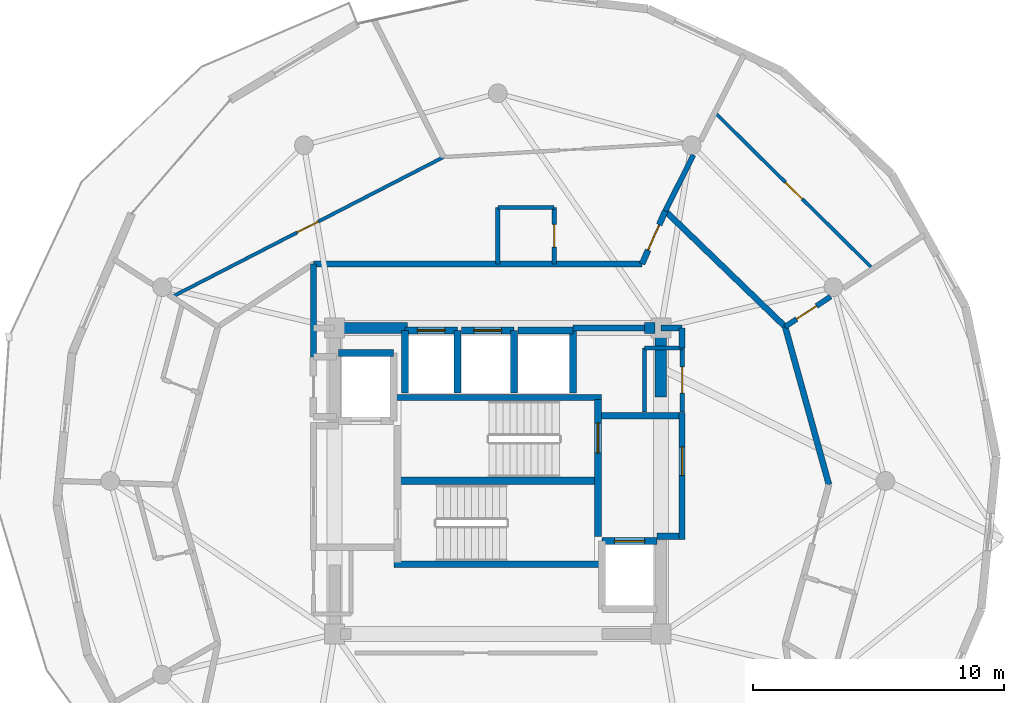
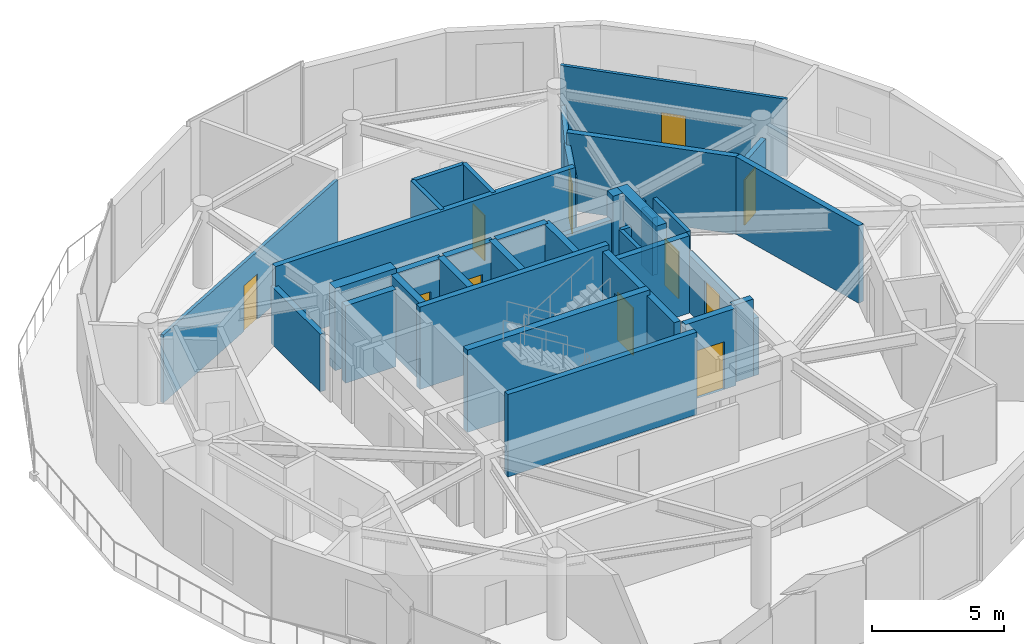
# One storey, part 12 of 15: 37 walls, 11 doors, 11 openings.
"""IFC4 building model written with IfcOpenShell, lengths in metres."""

from ifc_helpers import new_model, si_unit, direction, frame, frame_2d, origin, place, context, subcontext, project, spatial, rectangle, extrude, material, layer, layer_set, type_object, element, fill, save


model = new_model("IFC4")

# Units and contexts
model_context = context("Model", 3, precision=1e-05, world=origin(), true_north=direction((0.0, 1.0)))
body_context = subcontext(model_context, "Body", "Model", "MODEL_VIEW")
ifc_project = project(units=[si_unit("LENGTHUNIT", "METRE"), si_unit("AREAUNIT", "SQUARE_METRE"), si_unit("VOLUMEUNIT", "CUBIC_METRE"), si_unit("PLANEANGLEUNIT", "RADIAN"), si_unit("MASSUNIT", "GRAM", prefix="KILO")], contexts=[model_context])

# Site, building, storey
site_placement = place(None, origin())
site = spatial("IfcSite", under=ifc_project, at=site_placement, CompositionType="ELEMENT")
building_placement = place(site_placement, origin())
building = spatial("IfcBuilding", under=site, at=building_placement, Name="Solvirekh Grand Hotel", CompositionType="ELEMENT")
storey_placement = place(building_placement, frame((0.0, 0.0, 270.60009765625)))
storey = spatial("IfcBuildingStorey", under=building, at=storey_placement, Name="L70", CompositionType="ELEMENT", Elevation=270.60009765625)

# Walls
ifc_material_1 = material(Name="Concrete C50/60", Category="concrete")
ifc_layer_1 = layer(ifc_material_1, 0.35009765625)
ifc_layer_set_1 = layer_set([ifc_layer_1], Name="Concrete C50/60")
wall_type_1 = type_object("IfcWallType", Name="CoreDivWall_RC350", PredefinedType="SOLIDWALL", material=ifc_layer_set_1)
for number, where, z_axis, x_axis, name in (
    (1, (-4.1298828125, -3.324951171875, 0.0), (0.0, 0.0, 1.0), (1.0, 0.0, 0.0), "L70 core stair box wall ST-S"),
    (2, (-4.1298828125, 3.324951171875, 0.0), (0.0, 0.0, 1.0), (1.0, 0.0, 0.0), "L70 core stair box wall ST-N"),
):
    element("IfcWall", number, at=place(storey_placement, frame(where, z_axis=z_axis, x_axis=x_axis)), inside=storey, type_object=wall_type_1, Name=name, PredefinedType="SOLIDWALL", context=body_context, shape_type="SweptSolid", body=[
        extrude(rectangle(XDim=8.259765625, YDim=0.25, at=frame_2d((4.1298828125, 0.0))), origin(), (0.0, 0.0, 1.0), 3.7998046875),
    ])

# Wall, opening, door
ifc_material_2 = material(Name="Concrete C40/50", Category="concrete")
ifc_layer_2 = layer(ifc_material_2, 0.280029296875)
ifc_layer_set_2 = layer_set([ifc_layer_2], Name="Concrete C40/50")
wall_type_2 = type_object("IfcWallType", Name="CoreShaftWall_RC280", PredefinedType="SOLIDWALL", material=ifc_layer_set_2)
wall_1_placement = place(storey_placement, frame((-1.60009765625, 6.0, 0.0), z_axis=(0.0, 0.0, 1.0), x_axis=(-1.0, 0.0, 0.0)))
wall_1 = element("IfcWall", 3, at=wall_1_placement, inside=storey, type_object=wall_type_2, Name="L70 HP-1 hoistway N wall", PredefinedType="SOLIDWALL", context=body_context, shape_type="SweptSolid", body=[
    extrude(rectangle(XDim=2.099853515625, YDim=0.280029296875, at=frame_2d((1.0498046875, 0.0))), origin(), (0.0, 0.0, 1.0), 3.56982421875),
])
opening_1_placement = place(wall_1_placement, frame((0.5, 0.0, 0.0)))
opening_1 = element("IfcOpeningElement", 4, at=opening_1_placement, cuts=wall_1, Name="Opening LD01", PredefinedType="OPENING", context=body_context, shape_type="SweptSolid", body=[
    extrude(rectangle(XDim=1.10009765625, YDim=2.199951171875, at=frame_2d((0.550048828125, 1.10009765625))), frame((0.0, 0.14990234375, 0.0), z_axis=(0.0, -1.0, 0.0), x_axis=(1.0, 0.0, 0.0)), (0.0, 0.0, 1.0), 0.300048828125),
])
ifc_material_3 = material(Name="Fire-Rated Steel Door Assembly", Category="steel")
door_type_1 = type_object("IfcDoorType", Name="Door_LiftLanding_1100X2200", OperationType="SLIDING_TO_LEFT", PredefinedType="DOOR", material=ifc_material_3)
door_1_placement = place(opening_1_placement, origin())
door_1 = element("IfcDoor", 5, at=door_1_placement, inside=storey, type_object=door_type_1, Name="L70 HP-1 sliding lift landing door", OperationType="SLIDING_TO_LEFT", OverallHeight=2.199951171875, OverallWidth=1.10009765625, PredefinedType="DOOR", context=body_context, shape_type="SweptSolid", body=[
    extrude(rectangle(XDim=1.10009765625, YDim=2.199951171875, at=frame_2d((0.550048828125, 1.10009765625))), frame((0.0, 0.02490234375, 0.0), z_axis=(0.0, -1.0, 0.0), x_axis=(1.0, 0.0, 0.0)), (0.0, 0.0, 1.0), 0.050048828125),
])
fill(opening_1, door_1)

# Walls
for number, where, z_axis, x_axis, name in (
    (6, (-3.699951171875, 6.0, 0.0), (0.0, 0.0, 1.0), (0.0, -1.0, 0.0), "L70 HP-1 hoistway W wall"),
    (7, (-1.60009765625, 3.5, 0.0), (0.0, 0.0, 1.0), (0.0, 1.0, 0.0), "L70 HP-1 hoistway E wall"),
):
    element("IfcWall", number, at=place(storey_placement, frame(where, z_axis=z_axis, x_axis=x_axis)), inside=storey, type_object=wall_type_2, Name=name, PredefinedType="SOLIDWALL", context=body_context, shape_type="SweptSolid", body=[
        extrude(rectangle(XDim=2.5, YDim=0.280029296875, at=frame_2d((1.25, 0.0))), origin(), (0.0, 0.0, 1.0), 3.56982421875),
    ])

# Wall, opening, door
wall_2_placement = place(storey_placement, frame((0.64990234375, 6.0, 0.0), z_axis=(0.0, 0.0, 1.0), x_axis=(-1.0, 0.0, 0.0)))
wall_2 = element("IfcWall", 8, at=wall_2_placement, inside=storey, type_object=wall_type_2, Name="L70 HP-2 hoistway N wall", PredefinedType="SOLIDWALL", context=body_context, shape_type="SweptSolid", body=[
    extrude(rectangle(XDim=2.099853515625, YDim=0.280029296875, at=frame_2d((1.0498046875, 0.0))), origin(), (0.0, 0.0, 1.0), 3.56982421875),
])
opening_2_placement = place(wall_2_placement, frame((0.5, 0.0, 0.0)))
opening_2 = element("IfcOpeningElement", 9, at=opening_2_placement, cuts=wall_2, Name="Opening LD01", PredefinedType="OPENING", context=body_context, shape_type="SweptSolid", body=[
    extrude(rectangle(XDim=1.10009765625, YDim=2.199951171875, at=frame_2d((0.550048828125, 1.10009765625))), frame((0.0, 0.14990234375, 0.0), z_axis=(0.0, -1.0, 0.0), x_axis=(1.0, 0.0, 0.0)), (0.0, 0.0, 1.0), 0.300048828125),
])
door_2_placement = place(opening_2_placement, origin())
door_2 = element("IfcDoor", 10, at=door_2_placement, inside=storey, type_object=door_type_1, Name="L70 HP-2 sliding lift landing door", OperationType="SLIDING_TO_LEFT", OverallHeight=2.199951171875, OverallWidth=1.10009765625, PredefinedType="DOOR", context=body_context, shape_type="SweptSolid", body=[
    extrude(rectangle(XDim=1.10009765625, YDim=2.199951171875, at=frame_2d((0.550048828125, 1.10009765625))), frame((0.0, 0.02490234375, 0.0), z_axis=(0.0, -1.0, 0.0), x_axis=(1.0, 0.0, 0.0)), (0.0, 0.0, 1.0), 0.050048828125),
])
fill(opening_2, door_2)

# Walls
wall_3_placement = place(storey_placement, frame((0.64990234375, 3.5, 0.0), z_axis=(0.0, 0.0, 1.0), x_axis=(0.0, 1.0, 0.0)))
element("IfcWall", 11, at=wall_3_placement, inside=storey, type_object=wall_type_2, Name="L70 HP-2 hoistway E wall", PredefinedType="SOLIDWALL", context=body_context, shape_type="SweptSolid", body=[
    extrude(rectangle(XDim=2.5, YDim=0.280029296875, at=frame_2d((1.25, 0.0))), origin(), (0.0, 0.0, 1.0), 3.56982421875),
])
wall_4_placement = place(storey_placement, frame((3.0, 6.0, 0.0), z_axis=(0.0, 0.0, 1.0), x_axis=(-1.0, 0.0, 0.0)))
element("IfcWall", 12, at=wall_4_placement, inside=storey, type_object=wall_type_2, Name="L70 EX-1 hoistway N wall", PredefinedType="SOLIDWALL", context=body_context, shape_type="SweptSolid", body=[
    extrude(rectangle(XDim=2.199951171875, YDim=0.280029296875, at=frame_2d((1.10009765625, 0.0))), origin(), (0.0, 0.0, 1.0), 3.56982421875),
])
wall_5_placement = place(storey_placement, frame((3.0, 3.5, 0.0), z_axis=(0.0, 0.0, 1.0), x_axis=(0.0, 1.0, 0.0)))
element("IfcWall", 13, at=wall_5_placement, inside=storey, type_object=wall_type_2, Name="L70 EX-1 hoistway E wall", PredefinedType="SOLIDWALL", context=body_context, shape_type="SweptSolid", body=[
    extrude(rectangle(XDim=2.5, YDim=0.280029296875, at=frame_2d((1.25, 0.0))), origin(), (0.0, 0.0, 1.0), 3.56982421875),
])
wall_6_placement = place(storey_placement, frame((-4.14990234375, 5.10009765625, 0.0), z_axis=(0.0, 0.0, 1.0), x_axis=(-1.0, 0.0, 0.0)))
element("IfcWall", 14, at=wall_6_placement, inside=storey, type_object=wall_type_2, Name="L70 FL-1 hoistway N wall", PredefinedType="SOLIDWALL", context=body_context, shape_type="SweptSolid", body=[
    extrude(rectangle(XDim=2.2001953125, YDim=0.280029296875, at=frame_2d((1.10009765625, 0.0))), origin(), (0.0, 0.0, 1.0), 3.56982421875),
])

# Wall, opening, door
wall_7_placement = place(storey_placement, frame((6.35009765625, -2.39990234375, 0.0), z_axis=(0.0, 0.0, 1.0), x_axis=(-1.0, 0.0, 0.0)))
wall_7 = element("IfcWall", 15, at=wall_7_placement, inside=storey, type_object=wall_type_2, Name="L70 FL-2 hoistway N wall", PredefinedType="SOLIDWALL", context=body_context, shape_type="SweptSolid", body=[
    extrude(rectangle(XDim=2.2001953125, YDim=0.280029296875, at=frame_2d((1.10009765625, 0.0))), origin(), (0.0, 0.0, 1.0), 3.56982421875),
])
opening_3_placement = place(wall_7_placement, frame((0.5, 0.0, 0.0)))
opening_3 = element("IfcOpeningElement", 16, at=opening_3_placement, cuts=wall_7, Name="Opening LD02", PredefinedType="OPENING", context=body_context, shape_type="SweptSolid", body=[
    extrude(rectangle(XDim=1.199951171875, YDim=2.199951171875, at=frame_2d((0.60009765625, 1.10009765625))), frame((0.0, 0.14990234375, 0.0), z_axis=(0.0, -1.0, 0.0), x_axis=(1.0, 0.0, 0.0)), (0.0, 0.0, 1.0), 0.300048828125),
])
door_type_2 = type_object("IfcDoorType", Name="Door_LiftFF_1200X2200", OperationType="SLIDING_TO_LEFT", PredefinedType="DOOR", material=ifc_material_3)
door_3_placement = place(opening_3_placement, origin())
door_3 = element("IfcDoor", 17, at=door_3_placement, inside=storey, type_object=door_type_2, Name="L70 FL-2 sliding lift landing door", OperationType="SLIDING_TO_LEFT", OverallHeight=2.199951171875, OverallWidth=1.199951171875, PredefinedType="DOOR", context=body_context, shape_type="SweptSolid", body=[
    extrude(rectangle(XDim=1.199951171875, YDim=2.199951171875, at=frame_2d((0.60009765625, 1.10009765625))), frame((0.0, 0.02490234375, 0.0), z_axis=(0.0, -1.0, 0.0), x_axis=(1.0, 0.0, 0.0)), (0.0, 0.0, 1.0), 0.050048828125),
])
fill(opening_3, door_3)

wall_8_placement = place(storey_placement, frame((3.989990234375, -2.2099609375, 0.0), z_axis=(0.0, 0.0, 1.0), x_axis=(0.0, 1.0, 0.0)))
wall_8 = element("IfcWall", 18, at=wall_8_placement, inside=storey, type_object=wall_type_2, Name="L70 east stair landing enclosure wall", PredefinedType="SOLIDWALL", context=body_context, shape_type="SweptSolid", body=[
    extrude(rectangle(XDim=5.4599609375, YDim=0.280029296875, at=frame_2d((2.72998046875, 0.0))), origin(), (0.0, 0.0, 1.0), 3.56982421875),
])
opening_4_placement = place(wall_8_placement, frame((3.322998046875, 0.0, 0.0)))
opening_4 = element("IfcOpeningElement", 19, at=opening_4_placement, cuts=wall_8, Name="Opening D05", PredefinedType="OPENING", context=body_context, shape_type="SweptSolid", body=[
    extrude(rectangle(XDim=1.199951171875, YDim=2.199951171875, at=frame_2d((0.60009765625, 1.10009765625))), frame((0.0, 0.14990234375, 0.0), z_axis=(0.0, -1.0, 0.0), x_axis=(1.0, 0.0, 0.0)), (0.0, 0.0, 1.0), 0.300048828125),
])
door_type_3 = type_object("IfcDoorType", Name="Door_StairCore_1200X2200", OperationType="NOTDEFINED", PredefinedType="DOOR", material=ifc_material_3)
door_4_placement = place(opening_4_placement, origin())
door_4 = element("IfcDoor", 20, at=door_4_placement, inside=storey, type_object=door_type_3, Name="L70 exit stair ST-2 fire door", OperationType="SINGLE_SWING_RIGHT", OverallHeight=2.199951171875, OverallWidth=1.199951171875, PredefinedType="DOOR", context=body_context, shape_type="SweptSolid", body=[
    extrude(rectangle(XDim=1.199951171875, YDim=2.199951171875, at=frame_2d((0.60009765625, 1.10009765625))), frame((0.0, 0.02490234375, 0.0), z_axis=(0.0, -1.0, 0.0), x_axis=(1.0, 0.0, 0.0)), (0.0, 0.0, 1.0), 0.050048828125),
])
fill(opening_4, door_4)

# Walls
ifc_layer_3 = layer(ifc_material_1, 0.449951171875)
ifc_layer_set_3 = layer_set([ifc_layer_3], Name="Concrete C50/60")
wall_type_3 = type_object("IfcWallType", Name="CoreWall_RC450", PredefinedType="SHEAR", material=ifc_layer_set_3)
wall_9_placement = place(storey_placement, frame((-3.989990234375, 0.0, 0.0), z_axis=(0.0, 0.0, 1.0), x_axis=(1.0, 0.0, 0.0)))
element("IfcWall", 21, at=wall_9_placement, inside=storey, type_object=wall_type_3, Name="L70 central stair-spine shear wall", PredefinedType="SHEAR", context=body_context, shape_type="SweptSolid", body=[
    extrude(rectangle(XDim=7.97998046875, YDim=0.300048828125, at=frame_2d((3.989990234375, 0.0))), origin(), (0.0, 0.0, 1.0), 3.7998046875),
])
wall_10_placement = place(storey_placement, frame((-6.27490234375, 6.10009765625, 0.0), z_axis=(0.0, 0.0, 1.0), x_axis=(1.0, 0.0, 0.0)))
element("IfcWall", 22, at=wall_10_placement, inside=storey, type_object=wall_type_3, Name="L70 core corner shear wall NW-N", PredefinedType="SHEAR", context=body_context, shape_type="SweptSolid", body=[
    extrude(rectangle(XDim=2.6748046875, YDim=0.449951171875, at=frame_2d((1.33740234375, 0.0))), origin(), (0.0, 0.0, 1.0), 3.7998046875),
])
wall_11_placement = place(storey_placement, frame((5.85009765625, 6.10009765625, 0.0), z_axis=(0.0, 0.0, 1.0), x_axis=(1.0, 0.0, 0.0)))
element("IfcWall", 23, at=wall_11_placement, inside=storey, type_object=wall_type_3, Name="L70 core corner shear wall NE-N", PredefinedType="SHEAR", context=body_context, shape_type="SweptSolid", body=[
    extrude(rectangle(XDim=0.4248046875, YDim=0.449951171875, at=frame_2d((0.21240234375, 0.0))), origin(), (0.0, 0.0, 1.0), 3.7998046875),
])
wall_12_placement = place(storey_placement, frame((6.5, 3.35009765625, 0.0), z_axis=(0.0, 0.0, 1.0), x_axis=(0.0, 1.0, 0.0)))
element("IfcWall", 24, at=wall_12_placement, inside=storey, type_object=wall_type_3, Name="L70 core corner shear wall EN-E", PredefinedType="SHEAR", context=body_context, shape_type="SweptSolid", body=[
    extrude(rectangle(XDim=2.974853515625, YDim=0.449951171875, at=frame_2d((1.4873046875, 0.0))), origin(), (0.0, 0.0, 1.0), 3.7998046875),
])

# Wall, opening, door
ifc_material_4 = material(Name="Acoustic Gypsum Partition Assembly")
ifc_layer_4 = layer(ifc_material_4, 0.1650390625)
ifc_layer_set_4 = layer_set([ifc_layer_4], Name="Acoustic Gypsum Partition Assembly")
wall_type_4 = type_object("IfcWallType", Name="Part_BOH_165", PredefinedType="PARTITIONING", material=ifc_layer_set_4)
wall_13_placement = place(storey_placement, frame((7.35009765625, 2.75, 0.0), z_axis=(0.0, 0.0, 1.0), x_axis=(0.0, 1.0, 0.0)))
wall_13 = element("IfcWall", 25, at=wall_13_placement, inside=storey, type_object=wall_type_4, Name="L70 L70 Telecom Distribution Room wall 2", PredefinedType="PARTITIONING", context=body_context, shape_type="SweptSolid", body=[
    extrude(rectangle(XDim=2.550048828125, YDim=0.1650390625, at=frame_2d((1.27490234375, 0.0))), origin(), (0.0, 0.0, 1.0), 3.56982421875),
])
opening_5_placement = place(wall_13_placement, frame((0.75, 0.0, 0.0)))
opening_5 = element("IfcOpeningElement", 26, at=opening_5_placement, cuts=wall_13, Name="Opening D12", PredefinedType="OPENING", context=body_context, shape_type="SweptSolid", body=[
    extrude(rectangle(XDim=1.050048828125, YDim=2.14990234375, at=frame_2d((0.52490234375, 1.074951171875))), frame((0.0, 0.092529296875, 0.0), z_axis=(0.0, -1.0, 0.0), x_axis=(1.0, 0.0, 0.0)), (0.0, 0.0, 1.0), 0.18505859375),
])
door_type_4 = type_object("IfcDoorType", Name="Door_PlantBOH_1050X2150", OperationType="NOTDEFINED", PredefinedType="DOOR", material=ifc_material_3)
door_5_placement = place(opening_5_placement, origin())
door_5 = element("IfcDoor", 27, at=door_5_placement, inside=storey, type_object=door_type_4, Name="L70 L70 Telecom Distribution Room door", OperationType="SINGLE_SWING_LEFT", OverallHeight=2.14990234375, OverallWidth=1.050048828125, PredefinedType="DOOR", context=body_context, shape_type="SweptSolid", body=[
    extrude(rectangle(XDim=1.050048828125, YDim=2.14990234375, at=frame_2d((0.52490234375, 1.074951171875))), frame((0.0, 0.02490234375, 0.0), z_axis=(0.0, -1.0, 0.0), x_axis=(1.0, 0.0, 0.0)), (0.0, 0.0, 1.0), 0.050048828125),
])
fill(opening_5, door_5)

# Walls
wall_14_placement = place(storey_placement, frame((7.35009765625, 5.300048828125, 0.0), z_axis=(0.0, 0.0, 1.0), x_axis=(-1.0, 0.0, 0.0)))
element("IfcWall", 28, at=wall_14_placement, inside=storey, type_object=wall_type_4, Name="L70 L70 Telecom Distribution Room wall 3", PredefinedType="PARTITIONING", context=body_context, shape_type="SweptSolid", body=[
    extrude(rectangle(XDim=1.5, YDim=0.1650390625, at=frame_2d((0.75, 0.0))), origin(), (0.0, 0.0, 1.0), 2.65478515625),
])
wall_15_placement = place(storey_placement, frame((5.85009765625, 5.300048828125, 0.0), z_axis=(0.0, 0.0, 1.0), x_axis=(0.0, -1.0, 0.0)))
element("IfcWall", 29, at=wall_15_placement, inside=storey, type_object=wall_type_4, Name="L70 L70 Telecom Distribution Room wall 4", PredefinedType="PARTITIONING", context=body_context, shape_type="SweptSolid", body=[
    extrude(rectangle(XDim=2.550048828125, YDim=0.1650390625, at=frame_2d((1.27490234375, 0.0))), origin(), (0.0, 0.0, 1.0), 2.65478515625),
])

# Wall, opening, door
ifc_layer_5 = layer(ifc_material_4, 0.239990234375)
ifc_layer_set_5 = layer_set([ifc_layer_5], Name="Acoustic Gypsum Partition Assembly")
wall_type_5 = type_object("IfcWallType", Name="Part_Corridor_240", PredefinedType="PARTITIONING", material=ifc_layer_set_5)
wall_16_placement = place(storey_placement, frame((7.35009765625, -2.340087890625, 0.0), z_axis=(0.0, 0.0, 1.0), x_axis=(0.0, 1.0, 0.0)))
wall_16 = element("IfcWall", 30, at=wall_16_placement, inside=storey, type_object=wall_type_5, Name="L70 east firefighting lobby smoke screen wall", PredefinedType="PARTITIONING", context=body_context, shape_type="SweptSolid", body=[
    extrude(rectangle(XDim=5.070068359375, YDim=0.239990234375, at=frame_2d((2.53515625, 0.0))), origin(), (0.0, 0.0, 1.0), 2.65478515625),
])
opening_6_placement = place(wall_16_placement, frame((2.548095703125, 0.0, 0.0)))
opening_6 = element("IfcOpeningElement", 31, at=opening_6_placement, cuts=wall_16, Name="Opening D06", PredefinedType="OPENING", context=body_context, shape_type="SweptSolid", body=[
    extrude(rectangle(XDim=1.14990234375, YDim=2.199951171875, at=frame_2d((0.574951171875, 1.10009765625))), frame((0.0, 0.1298828125, 0.0), z_axis=(0.0, -1.0, 0.0), x_axis=(1.0, 0.0, 0.0)), (0.0, 0.0, 1.0), 0.260009765625),
])
door_type_5 = type_object("IfcDoorType", Name="Door_FFLobby_1150X2200", OperationType="NOTDEFINED", PredefinedType="DOOR", material=ifc_material_3)
door_6_placement = place(opening_6_placement, origin())
door_6 = element("IfcDoor", 32, at=door_6_placement, inside=storey, type_object=door_type_5, Name="L70 east firefighting lobby smoke door", OperationType="SINGLE_SWING_RIGHT", OverallHeight=2.199951171875, OverallWidth=1.14990234375, PredefinedType="DOOR", context=body_context, shape_type="SweptSolid", body=[
    extrude(rectangle(XDim=1.14990234375, YDim=2.199951171875, at=frame_2d((0.574951171875, 1.10009765625))), frame((0.0, 0.02490234375, 0.0), z_axis=(0.0, -1.0, 0.0), x_axis=(1.0, 0.0, 0.0)), (0.0, 0.0, 1.0), 0.050048828125),
])
fill(opening_6, door_6)

# Walls
wall_17_placement = place(storey_placement, frame((-7.35009765625, 8.64990234375, 0.0), z_axis=(0.0, 0.0, 1.0), x_axis=(1.0, 0.0, 0.0)))
element("IfcWall", 33, at=wall_17_placement, inside=storey, type_object=wall_type_5, Name="L70 north lift lobby enclosure wall", PredefinedType="PARTITIONING", context=body_context, shape_type="SweptSolid", body=[
    extrude(rectangle(XDim=13.10009765625, YDim=0.239990234375, at=frame_2d((6.550048828125, 0.0))), origin(), (0.0, 0.0, 1.0), 3.56982421875),
])
wall_18_placement = place(storey_placement, frame((3.0, 6.10009765625, 0.0), z_axis=(0.0, 0.0, 1.0), x_axis=(1.0, 0.0, 0.0)))
element("IfcWall", 34, at=wall_18_placement, inside=storey, type_object=wall_type_5, Name="L70 north core shaft infill wall", PredefinedType="PARTITIONING", context=body_context, shape_type="SweptSolid", body=[
    extrude(rectangle(XDim=2.85009765625, YDim=0.239990234375, at=frame_2d((1.425048828125, 0.0))), origin(), (0.0, 0.0, 1.0), 2.65478515625),
])
wall_19_placement = place(storey_placement, frame((7.35009765625, 5.300048828125, 0.0), z_axis=(0.0, 0.0, 1.0), x_axis=(0.0, 1.0, 0.0)))
element("IfcWall", 35, at=wall_19_placement, inside=storey, type_object=wall_type_5, Name="L70 NE core cheek closure wall", PredefinedType="PARTITIONING", context=body_context, shape_type="SweptSolid", body=[
    extrude(rectangle(XDim=0.800048828125, YDim=0.239990234375, at=frame_2d((0.39990234375, 0.0))), origin(), (0.0, 0.0, 1.0), 2.65478515625),
])
wall_20_placement = place(storey_placement, frame((6.5, 6.10009765625, 0.0), z_axis=(0.0, 0.0, 1.0), x_axis=(1.0, 0.0, 0.0)))
element("IfcWall", 36, at=wall_20_placement, inside=storey, type_object=wall_type_5, Name="L70 NE core corner tie wall", PredefinedType="PARTITIONING", context=body_context, shape_type="SweptSolid", body=[
    extrude(rectangle(XDim=0.85009765625, YDim=0.239990234375, at=frame_2d((0.425048828125, 0.0))), origin(), (0.0, 0.0, 1.0), 3.010986328125),
])
wall_21_placement = place(storey_placement, frame((-7.35009765625, 4.949951171875, 0.0), z_axis=(0.0, 0.0, 1.0), x_axis=(0.0, 1.0, 0.0)))
element("IfcWall", 37, at=wall_21_placement, inside=storey, type_object=wall_type_5, Name="L70 north lift lobby west wall", PredefinedType="PARTITIONING", context=body_context, shape_type="SweptSolid", body=[
    extrude(rectangle(XDim=3.699951171875, YDim=0.239990234375, at=frame_2d((1.85009765625, 0.0))), origin(), (0.0, 0.0, 1.0), 2.65478515625),
])

# Wall, opening, door
wall_22_placement = place(storey_placement, frame((5.75, 8.64990234375, 0.0), z_axis=(0.0, 0.0, 1.0), x_axis=(0.401190953907, 0.915994442398, 0.0)))
wall_22 = element("IfcWall", 38, at=wall_22_placement, inside=storey, type_object=wall_type_5, Name="L70 Panorama Suite 7201 Inner Suite Lounge entrance wall", PredefinedType="PARTITIONING", context=body_context, shape_type="SweptSolid", body=[
    extrude(rectangle(XDim=2.3056640625, YDim=0.239990234375, at=frame_2d((1.15283203125, 0.0))), origin(), (0.0, 0.0, 1.0), 3.010986328125),
])
opening_7_placement = place(wall_22_placement, frame((0.60302734375, 0.0, 0.0)))
opening_7 = element("IfcOpeningElement", 39, at=opening_7_placement, cuts=wall_22, Name="Opening D08", PredefinedType="OPENING", context=body_context, shape_type="SweptSolid", body=[
    extrude(rectangle(XDim=1.10009765625, YDim=2.300048828125, at=frame_2d((0.550048828125, 1.14990234375))), frame((0.0, 0.1298828125, 0.0), z_axis=(0.0, -1.0, 0.0), x_axis=(1.0, 0.0, 0.0)), (0.0, 0.0, 1.0), 0.260009765625),
])
door_type_6 = type_object("IfcDoorType", Name="Door_SuiteEntry_1100X2300", OperationType="NOTDEFINED", PredefinedType="DOOR", material=ifc_material_3)
door_7_placement = place(opening_7_placement, origin())
door_7 = element("IfcDoor", 40, at=door_7_placement, inside=storey, type_object=door_type_6, Name="L70 Panorama Suite 7201 Inner Suite Lounge entrance door", OperationType="SINGLE_SWING_RIGHT", OverallHeight=2.300048828125, OverallWidth=1.10009765625, PredefinedType="DOOR", context=body_context, shape_type="SweptSolid", body=[
    extrude(rectangle(XDim=1.10009765625, YDim=2.300048828125, at=frame_2d((0.550048828125, 1.14990234375))), frame((0.0, 0.02490234375, 0.0), z_axis=(0.0, -1.0, 0.0), x_axis=(1.0, 0.0, 0.0)), (0.0, 0.0, 1.0), 0.050048828125),
])
fill(opening_7, door_7)

# Walls
wall_23_placement = place(storey_placement, frame((13.199951171875, -0.14990234375, 0.0), z_axis=(0.0, 0.0, 1.0), x_axis=(-0.267374214985, 0.963592771435, 0.0)))
element("IfcWall", 41, at=wall_23_placement, inside=storey, type_object=wall_type_5, Name="L70 Diplomatic Suite 7204 Living Room corridor wall 1", PredefinedType="PARTITIONING", context=body_context, shape_type="SweptSolid", body=[
    extrude(rectangle(XDim=6.537841796875, YDim=0.239990234375, at=frame_2d((3.26904296875, 0.0))), origin(), (0.0, 0.0, 1.0), 3.56982421875),
])
wall_24_placement = place(storey_placement, frame((11.451904296875, 6.14990234375, 0.0), z_axis=(0.0, 0.0, 1.0), x_axis=(-0.719407162497, 0.694588608133, 0.0)))
element("IfcWall", 42, at=wall_24_placement, inside=storey, type_object=wall_type_5, Name="L70 Diplomatic Suite 7204 Suite Foyer corridor enclosure wall", PredefinedType="PARTITIONING", context=body_context, shape_type="SweptSolid", body=[
    extrude(rectangle(XDim=6.639892578125, YDim=0.239990234375, at=frame_2d((3.31982421875, 0.0))), origin(), (0.0, 0.0, 1.0), 3.56982421875),
])
ifc_layer_6 = layer(ifc_material_4, 0.260009765625)
ifc_layer_set_6 = layer_set([ifc_layer_6], Name="Acoustic Gypsum Partition Assembly")
wall_type_6 = type_object("IfcWallType", Name="Part_LobbyFF_260", PredefinedType="PARTITIONING", material=ifc_layer_set_6)
wall_25_placement = place(storey_placement, frame((6.35009765625, -2.2099609375, 0.0), z_axis=(0.0, 0.0, 1.0), x_axis=(1.0, 0.0, 0.0)))
element("IfcWall", 43, at=wall_25_placement, inside=storey, type_object=wall_type_6, Name="L70 east firefighting lobby SE cheek", PredefinedType="PARTITIONING", context=body_context, shape_type="SweptSolid", body=[
    extrude(rectangle(XDim=0.875, YDim=0.260009765625, at=frame_2d((0.4375, 0.0))), origin(), (0.0, 0.0, 1.0), 3.56982421875),
])
wall_26_placement = place(storey_placement, frame((4.1298828125, 2.60009765625, 0.0), z_axis=(0.0, 0.0, 1.0), x_axis=(1.0, 0.0, 0.0)))
element("IfcWall", 44, at=wall_26_placement, inside=storey, type_object=wall_type_6, Name="L70 east firefighting lobby north partition", PredefinedType="PARTITIONING", context=body_context, shape_type="SweptSolid", body=[
    extrude(rectangle(XDim=3.09521484375, YDim=0.260009765625, at=frame_2d((1.547607421875, 0.0))), origin(), (0.0, 0.0, 1.0), 3.56982421875),
])

# Wall, opening, door
ifc_layer_7 = layer(ifc_material_4, 0.135009765625)
ifc_layer_set_7 = layer_set([ifc_layer_7], Name="Acoustic Gypsum Partition Assembly")
wall_type_7 = type_object("IfcWallType", Name="Part_RoomInt_135", PredefinedType="PARTITIONING", material=ifc_layer_set_7)
wall_27_placement = place(storey_placement, frame((-12.988037109375, 7.3369140625, 0.0), z_axis=(0.0, 0.0, 1.0), x_axis=(0.889161723705, 0.457593082441, 0.0)))
wall_27 = element("IfcWall", 45, at=wall_27_placement, inside=storey, type_object=wall_type_7, Name="L70 Panorama Suite 7201 Observatory Library bedroom screen wall", PredefinedType="PARTITIONING", context=body_context, shape_type="SweptSolid", body=[
    extrude(rectangle(XDim=12.1767578125, YDim=0.135009765625, at=frame_2d((6.08837890625, 0.0))), origin(), (0.0, 0.0, 1.0), 3.137939453125),
])
opening_8_placement = place(wall_27_placement, frame((5.613037109375, 0.0, 0.0)))
opening_8 = element("IfcOpeningElement", 46, at=opening_8_placement, cuts=wall_27, Name="Opening D10", PredefinedType="OPENING", context=body_context, shape_type="SweptSolid", body=[
    extrude(rectangle(XDim=0.949951171875, YDim=2.10009765625, at=frame_2d((0.47509765625, 1.050048828125))), frame((0.0, 0.07763671875, 0.0), z_axis=(0.0, -1.0, 0.0), x_axis=(1.0, 0.0, 0.0)), (0.0, 0.0, 1.0), 0.155029296875),
])
ifc_material_5 = material(Name="Anodized Bronze Aluminium 6063-T6", Category="aluminium")
door_type_7 = type_object("IfcDoorType", Name="Door_RoomInt_950X2100", OperationType="NOTDEFINED", PredefinedType="DOOR", material=ifc_material_5)
door_8_placement = place(opening_8_placement, origin())
door_8 = element("IfcDoor", 47, at=door_8_placement, inside=storey, type_object=door_type_7, Name="L70 Panorama Suite 7201 Observatory Library master bedroom door", OperationType="SINGLE_SWING_RIGHT", OverallHeight=2.10009765625, OverallWidth=0.949951171875, PredefinedType="DOOR", context=body_context, shape_type="SweptSolid", body=[
    extrude(rectangle(XDim=0.949951171875, YDim=2.10009765625, at=frame_2d((0.47509765625, 1.050048828125))), frame((0.0, 0.02490234375, 0.0), z_axis=(0.0, -1.0, 0.0), x_axis=(1.0, 0.0, 0.0)), (0.0, 0.0, 1.0), 0.050048828125),
])
fill(opening_8, door_8)

wall_28_placement = place(storey_placement, frame((14.947998046875, 8.4599609375, 0.0), z_axis=(0.0, 0.0, 1.0), x_axis=(-0.710996539207, 0.703195507121, 0.0)))
wall_28 = element("IfcWall", 48, at=wall_28_placement, inside=storey, type_object=wall_type_7, Name="L70 Diplomatic Suite 7204 Suite Foyer bedroom screen wall", PredefinedType="PARTITIONING", context=body_context, shape_type="SweptSolid", body=[
    extrude(rectangle(XDim=8.856689453125, YDim=0.135009765625, at=frame_2d((4.42822265625, 0.0))), origin(), (0.0, 0.0, 1.0), 3.56982421875),
])
opening_9_placement = place(wall_28_placement, frame((3.952880859375, 0.0, 0.0)))
opening_9 = element("IfcOpeningElement", 49, at=opening_9_placement, cuts=wall_28, Name="Opening D10", PredefinedType="OPENING", context=body_context, shape_type="SweptSolid", body=[
    extrude(rectangle(XDim=0.949951171875, YDim=2.10009765625, at=frame_2d((0.47509765625, 1.050048828125))), frame((0.0, 0.07763671875, 0.0), z_axis=(0.0, -1.0, 0.0), x_axis=(1.0, 0.0, 0.0)), (0.0, 0.0, 1.0), 0.155029296875),
])
door_9_placement = place(opening_9_placement, origin())
door_9 = element("IfcDoor", 50, at=door_9_placement, inside=storey, type_object=door_type_7, Name="L70 Diplomatic Suite 7204 Suite Foyer master bedroom door", OperationType="SINGLE_SWING_RIGHT", OverallHeight=2.10009765625, OverallWidth=0.949951171875, PredefinedType="DOOR", context=body_context, shape_type="SweptSolid", body=[
    extrude(rectangle(XDim=0.949951171875, YDim=2.10009765625, at=frame_2d((0.47509765625, 1.050048828125))), frame((0.0, 0.02490234375, 0.0), z_axis=(0.0, -1.0, 0.0), x_axis=(1.0, 0.0, 0.0)), (0.0, 0.0, 1.0), 0.050048828125),
])
fill(opening_9, door_9)

ifc_layer_8 = layer(ifc_material_4, 0.2099609375)
ifc_layer_set_8 = layer_set([ifc_layer_8], Name="Acoustic Gypsum Partition Assembly")
wall_type_8 = type_object("IfcWallType", Name="Part_SuiteDemise_210", PredefinedType="PARTITIONING", material=ifc_layer_set_8)
wall_29_placement = place(storey_placement, frame((11.451904296875, 6.14990234375, 0.0), z_axis=(0.0, 0.0, 1.0), x_axis=(0.834514332086, 0.550986233533, 0.0)))
wall_29 = element("IfcWall", 51, at=wall_29_placement, inside=storey, type_object=wall_type_8, Name="L70 suite radial wall 2 (A)", PredefinedType="PARTITIONING", context=body_context, shape_type="SweptSolid", body=[
    extrude(rectangle(XDim=2.172607421875, YDim=0.2099609375, at=frame_2d((1.08642578125, 0.0))), origin(), (0.0, 0.0, 1.0), 3.010986328125),
])
opening_10_placement = place(wall_29_placement, frame((0.550048828125, 0.0, 0.0)))
opening_10 = element("IfcOpeningElement", 52, at=opening_10_placement, cuts=wall_29, Name="Opening D10", PredefinedType="OPENING", context=body_context, shape_type="SweptSolid", body=[
    extrude(rectangle(XDim=0.949951171875, YDim=2.10009765625, at=frame_2d((0.47509765625, 1.050048828125))), frame((0.0, 0.114990234375, 0.0), z_axis=(0.0, -1.0, 0.0), x_axis=(1.0, 0.0, 0.0)), (0.0, 0.0, 1.0), 0.22998046875),
])
door_10_placement = place(opening_10_placement, origin())
door_10 = element("IfcDoor", 53, at=door_10_placement, inside=storey, type_object=door_type_7, Name="L70 Diplomatic Suite 7204 Suite Foyer suite connecting door", OperationType="SINGLE_SWING_LEFT", OverallHeight=2.10009765625, OverallWidth=0.949951171875, PredefinedType="DOOR", context=body_context, shape_type="SweptSolid", body=[
    extrude(rectangle(XDim=0.949951171875, YDim=2.10009765625, at=frame_2d((0.47509765625, 1.050048828125))), frame((0.0, 0.02490234375, 0.0), z_axis=(0.0, -1.0, 0.0), x_axis=(1.0, 0.0, 0.0)), (0.0, 0.0, 1.0), 0.050048828125),
])
fill(opening_10, door_10)

# Walls
wall_30_placement = place(storey_placement, frame((6.675048828125, 10.761962890625, 0.0), z_axis=(0.0, 0.0, 1.0), x_axis=(0.449481077606, 0.893289852665, 0.0)))
element("IfcWall", 54, at=wall_30_placement, inside=storey, type_object=wall_type_8, Name="L70 suite radial wall 3 (A)", PredefinedType="PARTITIONING", context=body_context, shape_type="SweptSolid", body=[
    extrude(rectangle(XDim=2.496337890625, YDim=0.2099609375, at=frame_2d((1.248046875, 0.0))), origin(), (0.0, 0.0, 1.0), 3.010986328125),
])
ifc_layer_9 = layer(ifc_material_4, 0.175048828125)
ifc_layer_set_9 = layer_set([ifc_layer_9], Name="Acoustic Gypsum Partition Assembly")
wall_type_9 = type_object("IfcWallType", Name="Plumb_Ensuite_175", PredefinedType="PLUMBINGWALL", material=ifc_layer_set_9)
for number, where, z_axis, x_axis, name in (
    (55, (0.0, 10.89990234375, 0.0), (0.0, 0.0, 1.0), (1.0, 0.0, 0.0), "L70 En-suite Bathroom 7201 outer plumbing wall"),
    (56, (0.0, 10.89990234375, 0.0), (0.0, 0.0, 1.0), (0.0, -1.0, 0.0), "L70 En-suite Bathroom 7201 side plumbing wall"),
):
    element("IfcWall", number, at=place(storey_placement, frame(where, z_axis=z_axis, x_axis=x_axis)), inside=storey, type_object=wall_type_9, Name=name, PredefinedType="PLUMBINGWALL", context=body_context, shape_type="SweptSolid", body=[
        extrude(rectangle(XDim=2.25, YDim=0.175048828125, at=frame_2d((1.125, 0.0))), origin(), (0.0, 0.0, 1.0), 3.56982421875),
    ])

# Wall, opening, door
wall_31_placement = place(storey_placement, frame((2.25, 8.64990234375, 0.0), z_axis=(0.0, 0.0, 1.0), x_axis=(0.0, 1.0, 0.0)))
wall_31 = element("IfcWall", 57, at=wall_31_placement, inside=storey, type_object=wall_type_9, Name="L70 En-suite Bathroom 7201 entry plumbing wall", PredefinedType="PLUMBINGWALL", context=body_context, shape_type="SweptSolid", body=[
    extrude(rectangle(XDim=2.25, YDim=0.175048828125, at=frame_2d((1.125, 0.0))), origin(), (0.0, 0.0, 1.0), 3.56982421875),
])
opening_11_placement = place(wall_31_placement, frame((0.675048828125, 0.0, 0.0)))
opening_11 = element("IfcOpeningElement", 58, at=opening_11_placement, cuts=wall_31, Name="Opening D09", PredefinedType="OPENING", context=body_context, shape_type="SweptSolid", body=[
    extrude(rectangle(XDim=0.89990234375, YDim=2.10009765625, at=frame_2d((0.449951171875, 1.050048828125))), frame((0.0, 0.09765625, 0.0), z_axis=(0.0, -1.0, 0.0), x_axis=(1.0, 0.0, 0.0)), (0.0, 0.0, 1.0), 0.195068359375),
])
door_type_8 = type_object("IfcDoorType", Name="Door_Ensuite_900X2100", OperationType="NOTDEFINED", PredefinedType="DOOR", material=ifc_material_5)
door_11_placement = place(opening_11_placement, origin())
door_11 = element("IfcDoor", 59, at=door_11_placement, inside=storey, type_object=door_type_8, Name="L70 En-suite Bathroom 7201 door", OperationType="SINGLE_SWING_LEFT", OverallHeight=2.10009765625, OverallWidth=0.89990234375, PredefinedType="DOOR", context=body_context, shape_type="SweptSolid", body=[
    extrude(rectangle(XDim=0.89990234375, YDim=2.10009765625, at=frame_2d((0.449951171875, 1.050048828125))), frame((0.0, 0.02490234375, 0.0), z_axis=(0.0, -1.0, 0.0), x_axis=(1.0, 0.0, 0.0)), (0.0, 0.0, 1.0), 0.050048828125),
])
fill(opening_11, door_11)

save(model, "model.ifc")
